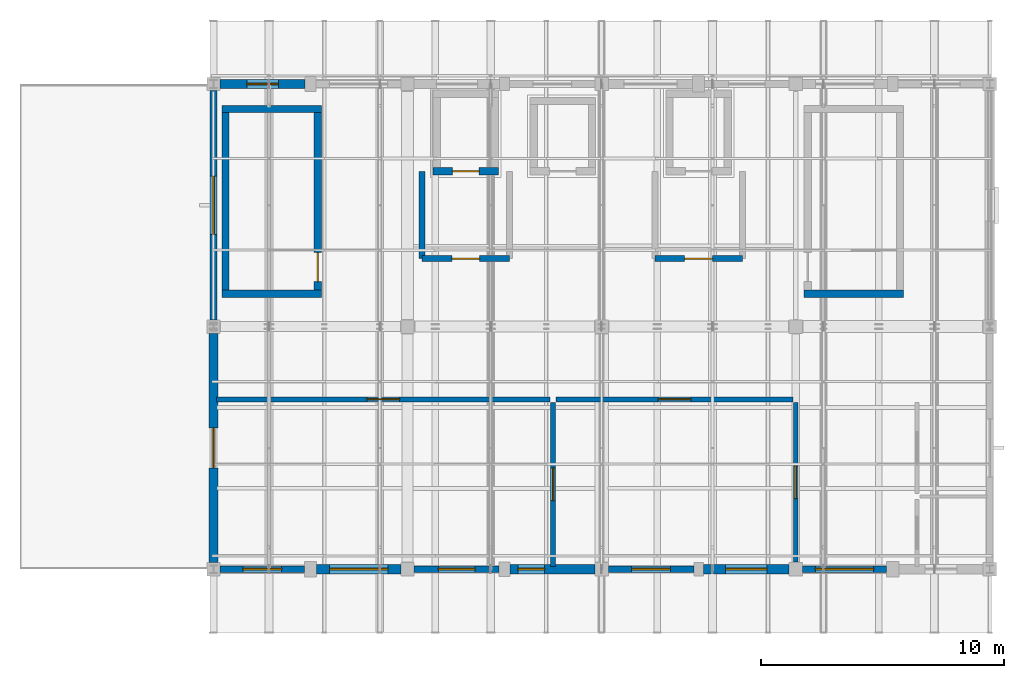
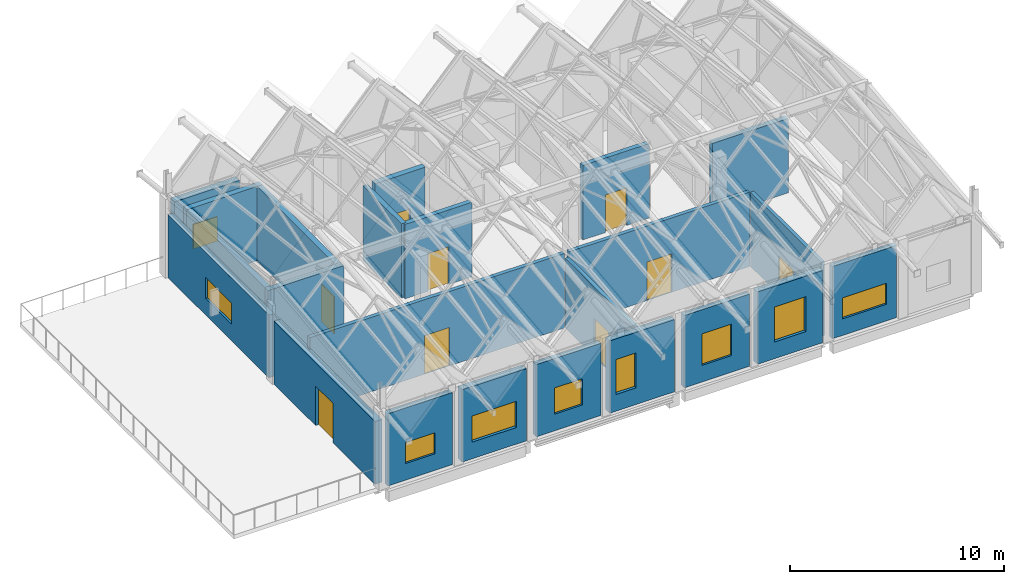
# One storey, part 10 of 15: 23 walls, 9 doors, 9 windows, 18 openings.
"""IFC4 building model written with IfcOpenShell, lengths in metres."""

from ifc_helpers import new_model, si_unit, direction, frame, frame_2d, origin, place, context, subcontext, project, spatial, rectangle, extrude, material, layer, layer_set, type_object, element, fill, save


model = new_model("IFC4")

# Units and contexts
model_context = context("Model", 3, precision=1e-05, world=origin(), true_north=direction((0.0, 1.0)))
body_context = subcontext(model_context, "Body", "Model", "MODEL_VIEW")
ifc_project = project(units=[si_unit("LENGTHUNIT", "METRE"), si_unit("AREAUNIT", "SQUARE_METRE"), si_unit("VOLUMEUNIT", "CUBIC_METRE"), si_unit("PLANEANGLEUNIT", "RADIAN"), si_unit("MASSUNIT", "GRAM", prefix="KILO")], contexts=[model_context])

# Site, building, storey
site_placement = place(None, origin())
site = spatial("IfcSite", under=ifc_project, at=site_placement, CompositionType="ELEMENT")
building_placement = place(site_placement, origin())
building = spatial("IfcBuilding", under=site, at=building_placement, Name="Luwemba Playhouse", CompositionType="ELEMENT")
storey_placement = place(building_placement, frame((0.0, 0.0, 22.800048828125)))
storey = spatial("IfcBuildingStorey", under=building, at=storey_placement, Name="L05", CompositionType="ELEMENT", Elevation=22.800048828125)

# Wall, opening, door
ifc_material_1 = material(Name="Clay facing brick obra vista masonry", Category="masonry")
ifc_layer_1 = layer(ifc_material_1, 0.3798828125)
ifc_layer_set_1 = layer_set([ifc_layer_1], Name="Clay facing brick obra vista masonry")
wall_type_1 = type_object("IfcWallType", Name="WAL-BRK-380", PredefinedType="SOLIDWALL", material=ifc_layer_set_1)
wall_1_placement = place(storey_placement, frame((140.0, 95.27490234375, 0.0), z_axis=(0.0, 0.0, 1.0), x_axis=(0.0, 1.0, 0.0)))
wall_1 = element("IfcWall", 1, at=wall_1_placement, inside=storey, type_object=wall_type_1, Name="L05 V6E exterior facade wall 0500", PredefinedType="SOLIDWALL", context=body_context, shape_type="SweptSolid", body=[
    extrude(rectangle(XDim=9.4501953125, YDim=0.3798828125, at=frame_2d((4.72509765625, 0.0))), origin(), (0.0, 0.0, 1.0), 3.5849609375),
])
opening_1_placement = place(wall_1_placement, frame((3.89990234375, 0.0, 0.0)))
opening_1 = element("IfcOpeningElement", 2, at=opening_1_placement, cuts=wall_1, Name="Opening D-TR1", PredefinedType="OPENING", context=body_context, shape_type="SweptSolid", body=[
    extrude(rectangle(XDim=1.64990234375, YDim=2.25, at=frame_2d((0.824951171875, 1.125))), frame((0.0, 0.199951171875, 0.0), z_axis=(0.0, -1.0, 0.0), x_axis=(1.0, 0.0, 0.0)), (0.0, 0.0, 1.0), 0.39990234375),
])
ifc_material_2 = material(Name="Architectural bronze-anodised aluminium and glazed leaf", Category="aluminium")
door_type_1 = type_object("IfcDoorType", Name="DR-TER-165", OperationType="NOTDEFINED", PredefinedType="DOOR", material=ifc_material_2)
door_1_placement = place(opening_1_placement, origin())
door_1 = element("IfcDoor", 3, at=door_1_placement, inside=storey, type_object=door_type_1, Name="L05 TER-V6E-L05 terrace entrance door", OperationType="DOUBLE_DOOR_SINGLE_SWING", OverallHeight=2.25, OverallWidth=1.64990234375, PredefinedType="DOOR", context=body_context, shape_type="SweptSolid", body=[
    extrude(rectangle(XDim=1.64990234375, YDim=2.25, at=frame_2d((0.824951171875, 1.125))), frame((0.0, 0.02490234375, 0.0), z_axis=(0.0, -1.0, 0.0), x_axis=(1.0, 0.0, 0.0)), (0.0, 0.0, 1.0), 0.050048828125),
])
fill(opening_1, door_1)

# Wall, opening, window
wall_2_placement = place(storey_placement, frame((140.27490234375, 115.0, 0.0), z_axis=(0.0, 0.0, 1.0), x_axis=(1.0, 0.0, 0.0)))
wall_2 = element("IfcWall", 4, at=wall_2_placement, inside=storey, type_object=wall_type_1, Name="L05 V6E exterior facade wall 0502", PredefinedType="SOLIDWALL", context=body_context, shape_type="SweptSolid", body=[
    extrude(rectangle(XDim=3.5, YDim=0.3798828125, at=frame_2d((1.75, 0.0))), origin(), (0.0, 0.0, 1.0), 4.125),
])
opening_2_placement = place(wall_2_placement, frame((1.10009765625, 0.0, 0.949951171875)))
opening_2 = element("IfcOpeningElement", 5, at=opening_2_placement, cuts=wall_2, Name="Opening WN-14", PredefinedType="OPENING", context=body_context, shape_type="SweptSolid", body=[
    extrude(rectangle(XDim=1.300048828125, YDim=1.39990234375, at=frame_2d((0.64990234375, 0.699951171875))), frame((0.0, 0.199951171875, 0.0), z_axis=(0.0, -1.0, 0.0), x_axis=(1.0, 0.0, 0.0)), (0.0, 0.0, 1.0), 0.39990234375),
])
ifc_material_3 = material(Name="Solar-control double glazing in aluminium frame", Category="aluminium")
window_type_1 = type_object("IfcWindowType", Name="WIN-WN-14", PartitioningType="SINGLE_PANEL", PredefinedType="WINDOW", material=ifc_material_3)
window_1_placement = place(opening_2_placement, origin())
window_1 = element("IfcWindow", 6, at=window_1_placement, inside=storey, type_object=window_type_1, Name="L05 V6E scheduled window 0440", OverallHeight=1.39990234375, OverallWidth=1.300048828125, PartitioningType="SINGLE_PANEL", PredefinedType="WINDOW", context=body_context, shape_type="SweptSolid", body=[
    extrude(rectangle(XDim=1.300048828125, YDim=1.39990234375, at=frame_2d((0.64990234375, 0.699951171875))), frame((0.0, 0.030029296875, 0.0), z_axis=(0.0, -1.0, 0.0), x_axis=(1.0, 0.0, 0.0)), (0.0, 0.0, 1.0), 0.06005859375),
])
fill(opening_2, window_1)

wall_3_placement = place(storey_placement, frame((163.72509765625, 95.0, 0.0), z_axis=(0.0, 0.0, 1.0), x_axis=(-1.0, 0.0, 0.0)))
wall_3 = element("IfcWall", 7, at=wall_3_placement, inside=storey, type_object=wall_type_1, Name="L05 V6E exterior facade wall 0514", PredefinedType="SOLIDWALL", context=body_context, shape_type="SweptSolid", body=[
    extrude(rectangle(XDim=3.525146484375, YDim=0.3798828125, at=frame_2d((1.7626953125, 0.0))), origin(), (0.0, 0.0, 1.0), 4.125),
])
opening_3_placement = place(wall_3_placement, frame((0.91259765625, 0.0, 0.949951171875)))
opening_3 = element("IfcOpeningElement", 8, at=opening_3_placement, cuts=wall_3, Name="Opening WN-20", PredefinedType="OPENING", context=body_context, shape_type="SweptSolid", body=[
    extrude(rectangle(XDim=1.699951171875, YDim=2.0, at=frame_2d((0.85009765625, 1.0))), frame((0.0, 0.199951171875, 0.0), z_axis=(0.0, -1.0, 0.0), x_axis=(1.0, 0.0, 0.0)), (0.0, 0.0, 1.0), 0.39990234375),
])
window_type_2 = type_object("IfcWindowType", Name="WIN-WN-20", PartitioningType="DOUBLE_PANEL_VERTICAL", PredefinedType="WINDOW", material=ifc_material_3)
window_2_placement = place(opening_3_placement, origin())
window_2 = element("IfcWindow", 9, at=window_2_placement, inside=storey, type_object=window_type_2, Name="L05 V6E scheduled window 0452", OverallHeight=2.0, OverallWidth=1.699951171875, PartitioningType="DOUBLE_PANEL_VERTICAL", PredefinedType="WINDOW", context=body_context, shape_type="SweptSolid", body=[
    extrude(rectangle(XDim=1.699951171875, YDim=2.0, at=frame_2d((0.85009765625, 1.0))), frame((0.0, 0.030029296875, 0.0), z_axis=(0.0, -1.0, 0.0), x_axis=(1.0, 0.0, 0.0)), (0.0, 0.0, 1.0), 0.06005859375),
])
fill(opening_3, window_2)

wall_4_placement = place(storey_placement, frame((155.72509765625, 95.0, 0.0), z_axis=(0.0, 0.0, 1.0), x_axis=(-1.0, 0.0, 0.0)))
wall_4 = element("IfcWall", 10, at=wall_4_placement, inside=storey, type_object=wall_type_1, Name="L05 V6E exterior facade wall 0516", PredefinedType="SOLIDWALL", context=body_context, shape_type="SweptSolid", body=[
    extrude(rectangle(XDim=3.5, YDim=0.3798828125, at=frame_2d((1.75, 0.0))), origin(), (0.0, 0.0, 1.0), 4.125),
])
opening_4_placement = place(wall_4_placement, frame((2.072509765625, 0.0, 0.949951171875)))
opening_4 = element("IfcOpeningElement", 11, at=opening_4_placement, cuts=wall_4, Name="Opening WN-19", PredefinedType="OPENING", context=body_context, shape_type="SweptSolid", body=[
    extrude(rectangle(XDim=1.10009765625, YDim=2.0, at=frame_2d((0.550048828125, 1.0))), frame((0.0, 0.199951171875, 0.0), z_axis=(0.0, -1.0, 0.0), x_axis=(1.0, 0.0, 0.0)), (0.0, 0.0, 1.0), 0.39990234375),
])
window_type_3 = type_object("IfcWindowType", Name="WIN-WN-19", PartitioningType="SINGLE_PANEL", PredefinedType="WINDOW", material=ifc_material_3)
window_3_placement = place(opening_4_placement, origin())
window_3 = element("IfcWindow", 12, at=window_3_placement, inside=storey, type_object=window_type_3, Name="L05 V6E scheduled window 0454", OverallHeight=2.0, OverallWidth=1.10009765625, PartitioningType="TRIPLE_PANEL_VERTICAL", PredefinedType="WINDOW", context=body_context, shape_type="SweptSolid", body=[
    extrude(rectangle(XDim=1.10009765625, YDim=2.0, at=frame_2d((0.550048828125, 1.0))), frame((0.0, 0.030029296875, 0.0), z_axis=(0.0, -1.0, 0.0), x_axis=(1.0, 0.0, 0.0)), (0.0, 0.0, 1.0), 0.06005859375),
])
fill(opening_4, window_3)

wall_5_placement = place(storey_placement, frame((147.72509765625, 95.0, 0.0), z_axis=(0.0, 0.0, 1.0), x_axis=(-1.0, 0.0, 0.0)))
wall_5 = element("IfcWall", 13, at=wall_5_placement, inside=storey, type_object=wall_type_1, Name="L05 V6E exterior facade wall 0518", PredefinedType="SOLIDWALL", context=body_context, shape_type="SweptSolid", body=[
    extrude(rectangle(XDim=3.47509765625, YDim=0.3798828125, at=frame_2d((1.737548828125, 0.0))), origin(), (0.0, 0.0, 1.0), 4.125),
])
opening_5_placement = place(wall_5_placement, frame((0.53759765625, 0.0, 0.949951171875)))
opening_5 = element("IfcOpeningElement", 14, at=opening_5_placement, cuts=wall_5, Name="Opening WN-12", PredefinedType="OPENING", context=body_context, shape_type="SweptSolid", body=[
    extrude(rectangle(XDim=2.39990234375, YDim=1.5, at=frame_2d((1.199951171875, 0.75))), frame((0.0, 0.199951171875, 0.0), z_axis=(0.0, -1.0, 0.0), x_axis=(1.0, 0.0, 0.0)), (0.0, 0.0, 1.0), 0.39990234375),
])
window_type_4 = type_object("IfcWindowType", Name="WIN-WN-12", PartitioningType="TRIPLE_PANEL_VERTICAL", PredefinedType="WINDOW", material=ifc_material_3)
window_4_placement = place(opening_5_placement, origin())
window_4 = element("IfcWindow", 15, at=window_4_placement, inside=storey, type_object=window_type_4, Name="L05 V6E scheduled window 0456", OverallHeight=1.5, OverallWidth=2.39990234375, PartitioningType="TRIPLE_PANEL_VERTICAL", PredefinedType="WINDOW", context=body_context, shape_type="SweptSolid", body=[
    extrude(rectangle(XDim=2.39990234375, YDim=1.5, at=frame_2d((1.199951171875, 0.75))), frame((0.0, 0.030029296875, 0.0), z_axis=(0.0, -1.0, 0.0), x_axis=(1.0, 0.0, 0.0)), (0.0, 0.0, 1.0), 0.06005859375),
])
fill(opening_5, window_4)

# Walls
ifc_material_4 = material(Name="Concrete C40/50", Category="concrete")
ifc_layer_2 = layer(ifc_material_4, 0.300048828125)
ifc_layer_set_2 = layer_set([ifc_layer_2], Name="Concrete C40/50")
wall_type_2 = type_object("IfcWallType", Name="WAL-CORE-300", PredefinedType="SHEAR", material=ifc_layer_set_2)
for number, where, z_axis, x_axis, name in (
    (16, (140.35009765625, 106.35009765625, 0.0), (0.0, 0.0, 1.0), (1.0, 0.0, 0.0), "L05 ST-09 stair core wall S"),
    (17, (144.449951171875, 113.969970703125, 0.0), (0.0, 0.0, 1.0), (-1.0, 0.0, 0.0), "L05 ST-09 stair core wall N"),
):
    element("IfcWall", number, at=place(storey_placement, frame(where, z_axis=z_axis, x_axis=x_axis)), inside=storey, type_object=wall_type_2, Name=name, PredefinedType="SHEAR", context=body_context, shape_type="SweptSolid", body=[
        extrude(rectangle(XDim=4.099853515625, YDim=0.300048828125, at=frame_2d((2.0498046875, 0.0))), origin(), (0.0, 0.0, 1.0), 4.25),
    ])
wall_6_placement = place(storey_placement, frame((140.5, 106.5, 0.0), z_axis=(0.0, 0.0, 1.0), x_axis=(0.0, 1.0, 0.0)))
element("IfcWall", 18, at=wall_6_placement, inside=storey, type_object=wall_type_2, Name="L05 ST-09 stair core wall W", PredefinedType="SHEAR", context=body_context, shape_type="SweptSolid", body=[
    extrude(rectangle(XDim=7.320068359375, YDim=0.300048828125, at=frame_2d((3.66015625, 0.0))), origin(), (0.0, 0.0, 1.0), 4.25),
])

# Wall, opening, door
wall_7_placement = place(storey_placement, frame((144.300048828125, 106.5, 0.0), z_axis=(0.0, 0.0, 1.0), x_axis=(0.0, 1.0, 0.0)))
wall_7 = element("IfcWall", 19, at=wall_7_placement, inside=storey, type_object=wall_type_2, Name="L05 ST-09 stair core wall E", PredefinedType="SHEAR", context=body_context, shape_type="SweptSolid", body=[
    extrude(rectangle(XDim=7.320068359375, YDim=0.300048828125, at=frame_2d((3.66015625, 0.0))), origin(), (0.0, 0.0, 1.0), 4.25),
])
opening_6_placement = place(wall_7_placement, frame((0.35009765625, 0.0, 0.0)))
opening_6 = element("IfcOpeningElement", 20, at=opening_6_placement, cuts=wall_7, Name="Opening D-STAIR3", PredefinedType="OPENING", context=body_context, shape_type="SweptSolid", body=[
    extrude(rectangle(XDim=1.199951171875, YDim=2.14990234375, at=frame_2d((0.60009765625, 1.074951171875))), frame((0.0, 0.159912109375, 0.0), z_axis=(0.0, -1.0, 0.0), x_axis=(1.0, 0.0, 0.0)), (0.0, 0.0, 1.0), 0.320068359375),
])
ifc_material_5 = material(Name="Hardwood acoustic fire door leaf", Category="wood")
door_type_2 = type_object("IfcDoorType", Name="DR-STAIR-120", OperationType="NOTDEFINED", PredefinedType="DOOR", material=ifc_material_5)
door_2_placement = place(opening_6_placement, origin())
door_2 = element("IfcDoor", 21, at=door_2_placement, inside=storey, type_object=door_type_2, Name="L05 ST-09 protected stair entry door", OperationType="SINGLE_SWING_RIGHT", OverallHeight=2.14990234375, OverallWidth=1.199951171875, PredefinedType="DOOR", context=body_context, shape_type="SweptSolid", body=[
    extrude(rectangle(XDim=1.199951171875, YDim=2.14990234375, at=frame_2d((0.60009765625, 1.074951171875))), frame((0.0, 0.02490234375, 0.0), z_axis=(0.0, -1.0, 0.0), x_axis=(1.0, 0.0, 0.0)), (0.0, 0.0, 1.0), 0.050048828125),
])
fill(opening_6, door_2)

# Wall
wall_8_placement = place(storey_placement, frame((164.35009765625, 106.35009765625, 0.0), z_axis=(0.0, 0.0, 1.0), x_axis=(1.0, 0.0, 0.0)))
element("IfcWall", 22, at=wall_8_placement, inside=storey, type_object=wall_type_2, Name="L05 ST-10 stair core wall S", PredefinedType="SHEAR", context=body_context, shape_type="SweptSolid", body=[
    extrude(rectangle(XDim=4.099853515625, YDim=0.300048828125, at=frame_2d((2.0498046875, 0.0))), origin(), (0.0, 0.0, 1.0), 4.25),
])

# Wall, opening, door
wall_9_placement = place(storey_placement, frame((149.050048828125, 111.39990234375, 0.0), z_axis=(0.0, 0.0, 1.0), x_axis=(1.0, 0.0, 0.0)))
wall_9 = element("IfcWall", 23, at=wall_9_placement, inside=storey, type_object=wall_type_2, Name="L05 Lift LF-FF1 shaft wall S", PredefinedType="SHEAR", context=body_context, shape_type="SweptSolid", body=[
    extrude(rectangle(XDim=2.699951171875, YDim=0.300048828125, at=frame_2d((1.35009765625, 0.0))), origin(), (0.0, 0.0, 1.0), 4.25),
])
opening_7_placement = place(wall_9_placement, frame((0.800048828125, 0.0, 0.0)))
opening_7 = element("IfcOpeningElement", 24, at=opening_7_placement, cuts=wall_9, Name="Opening LD-01", PredefinedType="OPENING", context=body_context, shape_type="SweptSolid", body=[
    extrude(rectangle(XDim=1.10009765625, YDim=2.14990234375, at=frame_2d((0.550048828125, 1.074951171875))), frame((0.0, 0.159912109375, 0.0), z_axis=(0.0, -1.0, 0.0), x_axis=(1.0, 0.0, 0.0)), (0.0, 0.0, 1.0), 0.320068359375),
])
ifc_material_6 = material(Name="Stainless steel lift landing doors", Category="steel")
door_type_3 = type_object("IfcDoorType", Name="DR-LIFT-110", OperationType="NOTDEFINED", PredefinedType="DOOR", material=ifc_material_6)
door_3_placement = place(opening_7_placement, origin())
door_3 = element("IfcDoor", 25, at=door_3_placement, inside=storey, type_object=door_type_3, Name="L05 Lift LF-FF1 landing door", OperationType="DOUBLE_DOOR_SLIDING", OverallHeight=2.14990234375, OverallWidth=1.10009765625, PredefinedType="DOOR", context=body_context, shape_type="SweptSolid", body=[
    extrude(rectangle(XDim=1.10009765625, YDim=2.14990234375, at=frame_2d((0.550048828125, 1.074951171875))), frame((0.0, 0.02490234375, 0.0), z_axis=(0.0, -1.0, 0.0), x_axis=(1.0, 0.0, 0.0)), (0.0, 0.0, 1.0), 0.050048828125),
])
fill(opening_7, door_3)

ifc_layer_3 = layer(ifc_material_4, 0.25)
ifc_layer_set_3 = layer_set([ifc_layer_3], Name="Concrete C40/50")
wall_type_3 = type_object("IfcWallType", Name="WAL-FFL-250", PredefinedType="SOLIDWALL", material=ifc_layer_set_3)
wall_10_placement = place(storey_placement, frame((152.199951171875, 107.800048828125, 0.0), z_axis=(0.0, 0.0, 1.0), x_axis=(-1.0, 0.0, 0.0)))
wall_10 = element("IfcWall", 26, at=wall_10_placement, inside=storey, type_object=wall_type_3, Name="L05 LF-FF1 firefighting lift lobby wall S", PredefinedType="SOLIDWALL", context=body_context, shape_type="SweptSolid", body=[
    extrude(rectangle(XDim=3.599853515625, YDim=0.25, at=frame_2d((1.7998046875, 0.0))), origin(), (0.0, 0.0, 1.0), 4.25),
])
opening_8_placement = place(wall_10_placement, frame((1.22509765625, 0.0, 0.0)))
opening_8 = element("IfcOpeningElement", 27, at=opening_8_placement, cuts=wall_10, Name="Opening D-FD60", PredefinedType="OPENING", context=body_context, shape_type="SweptSolid", body=[
    extrude(rectangle(XDim=1.14990234375, YDim=2.14990234375, at=frame_2d((0.574951171875, 1.074951171875))), frame((0.0, 0.135009765625, 0.0), z_axis=(0.0, -1.0, 0.0), x_axis=(1.0, 0.0, 0.0)), (0.0, 0.0, 1.0), 0.27001953125),
])
ifc_material_7 = material(Name="Hardwood smoke-sealed fire door leaf", Category="wood")
door_type_4 = type_object("IfcDoorType", Name="DR-FFL-115", OperationType="NOTDEFINED", PredefinedType="DOOR", material=ifc_material_7)
door_4_placement = place(opening_8_placement, origin())
door_4 = element("IfcDoor", 28, at=door_4_placement, inside=storey, type_object=door_type_4, Name="L05 LF-FF1 firefighting lobby smoke door", OperationType="SINGLE_SWING_LEFT", OverallHeight=2.14990234375, OverallWidth=1.14990234375, PredefinedType="DOOR", context=body_context, shape_type="SweptSolid", body=[
    extrude(rectangle(XDim=1.14990234375, YDim=2.14990234375, at=frame_2d((0.574951171875, 1.074951171875))), frame((0.0, 0.02490234375, 0.0), z_axis=(0.0, -1.0, 0.0), x_axis=(1.0, 0.0, 0.0)), (0.0, 0.0, 1.0), 0.050048828125),
])
fill(opening_8, door_4)

# Wall
wall_11_placement = place(storey_placement, frame((148.60009765625, 107.800048828125, 0.0), z_axis=(0.0, 0.0, 1.0), x_axis=(0.0, 1.0, 0.0)))
element("IfcWall", 29, at=wall_11_placement, inside=storey, type_object=wall_type_3, Name="L05 LF-FF1 firefighting lift lobby wall W", PredefinedType="SOLIDWALL", context=body_context, shape_type="SweptSolid", body=[
    extrude(rectangle(XDim=3.599853515625, YDim=0.25, at=frame_2d((1.7998046875, 0.0))), origin(), (0.0, 0.0, 1.0), 4.25),
])

# Wall, opening, door
wall_12_placement = place(storey_placement, frame((161.800048828125, 107.800048828125, 0.0), z_axis=(0.0, 0.0, 1.0), x_axis=(-1.0, 0.0, 0.0)))
wall_12 = element("IfcWall", 30, at=wall_12_placement, inside=storey, type_object=wall_type_3, Name="L05 LF-FF2 firefighting lift lobby wall S", PredefinedType="SOLIDWALL", context=body_context, shape_type="SweptSolid", body=[
    extrude(rectangle(XDim=3.60009765625, YDim=0.25, at=frame_2d((1.800048828125, 0.0))), origin(), (0.0, 0.0, 1.0), 4.25),
])
opening_9_placement = place(wall_12_placement, frame((1.22509765625, 0.0, 0.0)))
opening_9 = element("IfcOpeningElement", 31, at=opening_9_placement, cuts=wall_12, Name="Opening D-FD60", PredefinedType="OPENING", context=body_context, shape_type="SweptSolid", body=[
    extrude(rectangle(XDim=1.14990234375, YDim=2.14990234375, at=frame_2d((0.574951171875, 1.074951171875))), frame((0.0, 0.135009765625, 0.0), z_axis=(0.0, -1.0, 0.0), x_axis=(1.0, 0.0, 0.0)), (0.0, 0.0, 1.0), 0.27001953125),
])
door_5_placement = place(opening_9_placement, origin())
door_5 = element("IfcDoor", 32, at=door_5_placement, inside=storey, type_object=door_type_4, Name="L05 LF-FF2 firefighting lobby smoke door", OperationType="SINGLE_SWING_RIGHT", OverallHeight=2.14990234375, OverallWidth=1.14990234375, PredefinedType="DOOR", context=body_context, shape_type="SweptSolid", body=[
    extrude(rectangle(XDim=1.14990234375, YDim=2.14990234375, at=frame_2d((0.574951171875, 1.074951171875))), frame((0.0, 0.02490234375, 0.0), z_axis=(0.0, -1.0, 0.0), x_axis=(1.0, 0.0, 0.0)), (0.0, 0.0, 1.0), 0.050048828125),
])
fill(opening_9, door_5)

ifc_material_8 = material(Name="Double-stud acoustic gypsum partition", Category="gypsum")
ifc_layer_4 = layer(ifc_material_8, 0.179931640625)
ifc_layer_set_4 = layer_set([ifc_layer_4], Name="Double-stud acoustic gypsum partition")
wall_type_4 = type_object("IfcWallType", Name="WAL-INT-180", PredefinedType="PARTITIONING", material=ifc_layer_set_4)
wall_13_placement = place(storey_placement, frame((164.0, 95.294921875, 0.0), z_axis=(0.0, 0.0, 1.0), x_axis=(0.0, 1.0, 0.0)))
wall_13 = element("IfcWall", 33, at=wall_13_placement, inside=storey, type_object=wall_type_4, Name="L05 V6E interior partition 0227", PredefinedType="PARTITIONING", context=body_context, shape_type="SweptSolid", body=[
    extrude(rectangle(XDim=6.5849609375, YDim=0.179931640625, at=frame_2d((3.29248046875, 0.0))), origin(), (0.0, 0.0, 1.0), 4.25),
])
opening_10_placement = place(wall_13_placement, frame((2.617431640625, 0.0, 0.0)))
opening_10 = element("IfcOpeningElement", 34, at=opening_10_placement, cuts=wall_13, Name="Opening D-STU1", PredefinedType="OPENING", context=body_context, shape_type="SweptSolid", body=[
    extrude(rectangle(XDim=1.35009765625, YDim=2.199951171875, at=frame_2d((0.675048828125, 1.10009765625))), frame((0.0, 0.099853515625, 0.0), z_axis=(0.0, -1.0, 0.0), x_axis=(1.0, 0.0, 0.0)), (0.0, 0.0, 1.0), 0.199951171875),
])
ifc_material_9 = material(Name="Acoustic studio door", Category="wood")
door_type_5 = type_object("IfcDoorType", Name="DR-STU-135", OperationType="NOTDEFINED", PredefinedType="DOOR", material=ifc_material_9)
door_6_placement = place(opening_10_placement, origin())
door_6 = element("IfcDoor", 35, at=door_6_placement, inside=storey, type_object=door_type_5, Name="L05 Historic Costume and Textile Conservation Lab to Acoustic Instrument Calibration Studio door", OperationType="SINGLE_SWING_LEFT", OverallHeight=2.199951171875, OverallWidth=1.35009765625, PredefinedType="DOOR", context=body_context, shape_type="SweptSolid", body=[
    extrude(rectangle(XDim=1.35009765625, YDim=2.199951171875, at=frame_2d((0.675048828125, 1.10009765625))), frame((0.0, 0.02490234375, 0.0), z_axis=(0.0, -1.0, 0.0), x_axis=(1.0, 0.0, 0.0)), (0.0, 0.0, 1.0), 0.050048828125),
])
fill(opening_10, door_6)

ifc_material_10 = material(Name="Clay acoustic masonry blockwork", Category="masonry")
ifc_layer_5 = layer(ifc_material_10, 0.199951171875)
ifc_layer_set_5 = layer_set([ifc_layer_5], Name="Clay acoustic masonry blockwork")
wall_type_5 = type_object("IfcWallType", Name="WAL-INT-200", PredefinedType="PARTITIONING", material=ifc_layer_set_5)
wall_14_placement = place(storey_placement, frame((154.0, 95.1201171875, 0.0), z_axis=(0.0, 0.0, 1.0), x_axis=(0.0, 1.0, 0.0)))
wall_14 = element("IfcWall", 36, at=wall_14_placement, inside=storey, type_object=wall_type_5, Name="L05 V6E interior partition 0225", PredefinedType="PARTITIONING", context=body_context, shape_type="SweptSolid", body=[
    extrude(rectangle(XDim=6.759765625, YDim=0.199951171875, at=frame_2d((3.3798828125, 0.0))), origin(), (0.0, 0.0, 1.0), 3.9970703125),
])
opening_11_placement = place(wall_14_placement, frame((2.705078125, 0.0, 0.0)))
opening_11 = element("IfcOpeningElement", 37, at=opening_11_placement, cuts=wall_14, Name="Opening D-STU1", PredefinedType="OPENING", context=body_context, shape_type="SweptSolid", body=[
    extrude(rectangle(XDim=1.35009765625, YDim=2.199951171875, at=frame_2d((0.675048828125, 1.10009765625))), frame((0.0, 0.10986328125, 0.0), z_axis=(0.0, -1.0, 0.0), x_axis=(1.0, 0.0, 0.0)), (0.0, 0.0, 1.0), 0.219970703125),
])
door_7_placement = place(opening_11_placement, origin())
door_7 = element("IfcDoor", 38, at=door_7_placement, inside=storey, type_object=door_type_5, Name="L05 East African Performing Arts Archive to Historic Costume and Textile Conservation Lab door", OperationType="SINGLE_SWING_LEFT", OverallHeight=2.199951171875, OverallWidth=1.35009765625, PredefinedType="DOOR", context=body_context, shape_type="SweptSolid", body=[
    extrude(rectangle(XDim=1.35009765625, YDim=2.199951171875, at=frame_2d((0.675048828125, 1.10009765625))), frame((0.0, 0.02490234375, 0.0), z_axis=(0.0, -1.0, 0.0), x_axis=(1.0, 0.0, 0.0)), (0.0, 0.0, 1.0), 0.050048828125),
])
fill(opening_11, door_7)

wall_15_placement = place(storey_placement, frame((140.1201171875, 102.0, 0.0), z_axis=(0.0, 0.0, 1.0), x_axis=(1.0, 0.0, 0.0)))
wall_15 = element("IfcWall", 39, at=wall_15_placement, inside=storey, type_object=wall_type_5, Name="L05 V6E interior partition 0226", PredefinedType="PARTITIONING", context=body_context, shape_type="SweptSolid", body=[
    extrude(rectangle(XDim=13.759765625, YDim=0.199951171875, at=frame_2d((6.8798828125, 0.0))), origin(), (0.0, 0.0, 1.0), 4.25),
])
opening_12_placement = place(wall_15_placement, frame((6.205078125, 0.0, 0.0)))
opening_12 = element("IfcOpeningElement", 40, at=opening_12_placement, cuts=wall_15, Name="Opening D-STU1", PredefinedType="OPENING", context=body_context, shape_type="SweptSolid", body=[
    extrude(rectangle(XDim=1.35009765625, YDim=2.199951171875, at=frame_2d((0.675048828125, 1.10009765625))), frame((0.0, 0.10986328125, 0.0), z_axis=(0.0, -1.0, 0.0), x_axis=(1.0, 0.0, 0.0)), (0.0, 0.0, 1.0), 0.219970703125),
])
door_8_placement = place(opening_12_placement, origin())
door_8 = element("IfcDoor", 41, at=door_8_placement, inside=storey, type_object=door_type_5, Name="L05 East African Performing Arts Archive to Archive Level 5 Corridor door", OperationType="SINGLE_SWING_RIGHT", OverallHeight=2.199951171875, OverallWidth=1.35009765625, PredefinedType="DOOR", context=body_context, shape_type="SweptSolid", body=[
    extrude(rectangle(XDim=1.35009765625, YDim=2.199951171875, at=frame_2d((0.675048828125, 1.10009765625))), frame((0.0, 0.02490234375, 0.0), z_axis=(0.0, -1.0, 0.0), x_axis=(1.0, 0.0, 0.0)), (0.0, 0.0, 1.0), 0.050048828125),
])
fill(opening_12, door_8)

wall_16_placement = place(storey_placement, frame((154.1201171875, 102.0, 0.0), z_axis=(0.0, 0.0, 1.0), x_axis=(1.0, 0.0, 0.0)))
wall_16 = element("IfcWall", 42, at=wall_16_placement, inside=storey, type_object=wall_type_5, Name="L05 V6E interior partition 0228", PredefinedType="PARTITIONING", context=body_context, shape_type="SweptSolid", body=[
    extrude(rectangle(XDim=9.759765625, YDim=0.199951171875, at=frame_2d((4.8798828125, 0.0))), origin(), (0.0, 0.0, 1.0), 4.25),
])
opening_13_placement = place(wall_16_placement, frame((4.205078125, 0.0, 0.0)))
opening_13 = element("IfcOpeningElement", 43, at=opening_13_placement, cuts=wall_16, Name="Opening D-STU1", PredefinedType="OPENING", context=body_context, shape_type="SweptSolid", body=[
    extrude(rectangle(XDim=1.35009765625, YDim=2.199951171875, at=frame_2d((0.675048828125, 1.10009765625))), frame((0.0, 0.10986328125, 0.0), z_axis=(0.0, -1.0, 0.0), x_axis=(1.0, 0.0, 0.0)), (0.0, 0.0, 1.0), 0.219970703125),
])
door_9_placement = place(opening_13_placement, origin())
door_9 = element("IfcDoor", 44, at=door_9_placement, inside=storey, type_object=door_type_5, Name="L05 Historic Costume and Textile Conservation Lab to Archive Level 5 Corridor door", OperationType="SINGLE_SWING_RIGHT", OverallHeight=2.199951171875, OverallWidth=1.35009765625, PredefinedType="DOOR", context=body_context, shape_type="SweptSolid", body=[
    extrude(rectangle(XDim=1.35009765625, YDim=2.199951171875, at=frame_2d((0.675048828125, 1.10009765625))), frame((0.0, 0.02490234375, 0.0), z_axis=(0.0, -1.0, 0.0), x_axis=(1.0, 0.0, 0.0)), (0.0, 0.0, 1.0), 0.050048828125),
])
fill(opening_13, door_9)

# Wall, opening, window
ifc_material_11 = material(Name="Structural timber GL24h infill", Category="wood")
ifc_layer_6 = layer(ifc_material_11, 0.280029296875)
ifc_layer_set_6 = layer_set([ifc_layer_6], Name="Structural timber GL24h infill")
wall_type_6 = type_object("IfcWallType", Name="WAL-TIM-280", PredefinedType="SOLIDWALL", material=ifc_layer_set_6)
wall_17_placement = place(storey_placement, frame((140.0, 105.27490234375, 0.0), z_axis=(0.0, 0.0, 1.0), x_axis=(0.0, 1.0, 0.0)))
wall_17 = element("IfcWall", 45, at=wall_17_placement, inside=storey, type_object=wall_type_6, Name="L05 V6E exterior facade wall 0501", PredefinedType="SOLIDWALL", context=body_context, shape_type="SweptSolid", body=[
    extrude(rectangle(XDim=9.4501953125, YDim=0.280029296875, at=frame_2d((4.72509765625, 0.0))), origin(), (0.0, 0.0, 1.0), 3.5849609375),
])
opening_14_placement = place(wall_17_placement, frame((3.52490234375, 0.0, 0.949951171875)))
opening_14 = element("IfcOpeningElement", 46, at=opening_14_placement, cuts=wall_17, Name="Opening WN-17", PredefinedType="OPENING", context=body_context, shape_type="SweptSolid", body=[
    extrude(rectangle(XDim=2.39990234375, YDim=1.199951171875, at=frame_2d((1.199951171875, 0.60009765625))), frame((0.0, 0.14990234375, 0.0), z_axis=(0.0, -1.0, 0.0), x_axis=(1.0, 0.0, 0.0)), (0.0, 0.0, 1.0), 0.300048828125),
])
window_type_5 = type_object("IfcWindowType", Name="WIN-WN-17", PartitioningType="TRIPLE_PANEL_HORIZONTAL", PredefinedType="WINDOW", material=ifc_material_3)
window_5_placement = place(opening_14_placement, origin())
window_5 = element("IfcWindow", 47, at=window_5_placement, inside=storey, type_object=window_type_5, Name="L05 V6E scheduled window 0439", OverallHeight=1.199951171875, OverallWidth=2.39990234375, PartitioningType="TRIPLE_PANEL_HORIZONTAL", PredefinedType="WINDOW", context=body_context, shape_type="SweptSolid", body=[
    extrude(rectangle(XDim=2.39990234375, YDim=1.199951171875, at=frame_2d((1.199951171875, 0.60009765625))), frame((0.0, 0.030029296875, 0.0), z_axis=(0.0, -1.0, 0.0), x_axis=(1.0, 0.0, 0.0)), (0.0, 0.0, 1.0), 0.06005859375),
])
fill(opening_14, window_5)

wall_18_placement = place(storey_placement, frame((167.75, 95.0, 0.0), z_axis=(0.0, 0.0, 1.0), x_axis=(-1.0, 0.0, 0.0)))
wall_18 = element("IfcWall", 48, at=wall_18_placement, inside=storey, type_object=wall_type_6, Name="L05 V6E exterior facade wall 0513", PredefinedType="SOLIDWALL", context=body_context, shape_type="SweptSolid", body=[
    extrude(rectangle(XDim=3.47509765625, YDim=0.280029296875, at=frame_2d((1.737548828125, 0.0))), origin(), (0.0, 0.0, 1.0), 4.125),
])
opening_15_placement = place(wall_18_placement, frame((0.53759765625, 0.0, 0.949951171875)))
opening_15 = element("IfcOpeningElement", 49, at=opening_15_placement, cuts=wall_18, Name="Opening WN-17", PredefinedType="OPENING", context=body_context, shape_type="SweptSolid", body=[
    extrude(rectangle(XDim=2.39990234375, YDim=1.199951171875, at=frame_2d((1.199951171875, 0.60009765625))), frame((0.0, 0.14990234375, 0.0), z_axis=(0.0, -1.0, 0.0), x_axis=(1.0, 0.0, 0.0)), (0.0, 0.0, 1.0), 0.300048828125),
])
window_6_placement = place(opening_15_placement, origin())
window_6 = element("IfcWindow", 50, at=window_6_placement, inside=storey, type_object=window_type_5, Name="L05 V6E scheduled window 0451", OverallHeight=1.199951171875, OverallWidth=2.39990234375, PartitioningType="TRIPLE_PANEL_HORIZONTAL", PredefinedType="WINDOW", context=body_context, shape_type="SweptSolid", body=[
    extrude(rectangle(XDim=2.39990234375, YDim=1.199951171875, at=frame_2d((1.199951171875, 0.60009765625))), frame((0.0, 0.030029296875, 0.0), z_axis=(0.0, -1.0, 0.0), x_axis=(1.0, 0.0, 0.0)), (0.0, 0.0, 1.0), 0.06005859375),
])
fill(opening_15, window_6)

wall_19_placement = place(storey_placement, frame((159.800048828125, 95.0, 0.0), z_axis=(0.0, 0.0, 1.0), x_axis=(-1.0, 0.0, 0.0)))
wall_19 = element("IfcWall", 51, at=wall_19_placement, inside=storey, type_object=wall_type_6, Name="L05 V6E exterior facade wall 0515", PredefinedType="SOLIDWALL", context=body_context, shape_type="SweptSolid", body=[
    extrude(rectangle(XDim=3.525146484375, YDim=0.280029296875, at=frame_2d((1.7626953125, 0.0))), origin(), (0.0, 0.0, 1.0), 4.125),
])
opening_16_placement = place(wall_19_placement, frame((0.96240234375, 0.0, 0.949951171875)))
opening_16 = element("IfcOpeningElement", 52, at=opening_16_placement, cuts=wall_19, Name="Opening WN-03", PredefinedType="OPENING", context=body_context, shape_type="SweptSolid", body=[
    extrude(rectangle(XDim=1.60009765625, YDim=1.800048828125, at=frame_2d((0.800048828125, 0.89990234375))), frame((0.0, 0.14990234375, 0.0), z_axis=(0.0, -1.0, 0.0), x_axis=(1.0, 0.0, 0.0)), (0.0, 0.0, 1.0), 0.300048828125),
])
window_type_6 = type_object("IfcWindowType", Name="WIN-WN-03", PartitioningType="DOUBLE_PANEL_VERTICAL", PredefinedType="WINDOW", material=ifc_material_3)
window_7_placement = place(opening_16_placement, origin())
window_7 = element("IfcWindow", 53, at=window_7_placement, inside=storey, type_object=window_type_6, Name="L05 V6E scheduled window 0453", OverallHeight=1.800048828125, OverallWidth=1.60009765625, PartitioningType="DOUBLE_PANEL_VERTICAL", PredefinedType="WINDOW", context=body_context, shape_type="SweptSolid", body=[
    extrude(rectangle(XDim=1.60009765625, YDim=1.800048828125, at=frame_2d((0.800048828125, 0.89990234375))), frame((0.0, 0.030029296875, 0.0), z_axis=(0.0, -1.0, 0.0), x_axis=(1.0, 0.0, 0.0)), (0.0, 0.0, 1.0), 0.06005859375),
])
fill(opening_16, window_7)

wall_20_placement = place(storey_placement, frame((151.77490234375, 95.0, 0.0), z_axis=(0.0, 0.0, 1.0), x_axis=(-1.0, 0.0, 0.0)))
wall_20 = element("IfcWall", 54, at=wall_20_placement, inside=storey, type_object=wall_type_6, Name="L05 V6E exterior facade wall 0517", PredefinedType="SOLIDWALL", context=body_context, shape_type="SweptSolid", body=[
    extrude(rectangle(XDim=3.5, YDim=0.280029296875, at=frame_2d((1.75, 0.0))), origin(), (0.0, 0.0, 1.0), 4.125),
])
opening_17_placement = place(wall_20_placement, frame((1.0, 0.0, 0.949951171875)))
opening_17 = element("IfcOpeningElement", 55, at=opening_17_placement, cuts=wall_20, Name="Opening WN-09", PredefinedType="OPENING", context=body_context, shape_type="SweptSolid", body=[
    extrude(rectangle(XDim=1.5, YDim=1.5, at=frame_2d((0.75, 0.75))), frame((0.0, 0.14990234375, 0.0), z_axis=(0.0, -1.0, 0.0), x_axis=(1.0, 0.0, 0.0)), (0.0, 0.0, 1.0), 0.300048828125),
])
window_type_7 = type_object("IfcWindowType", Name="WIN-WN-09", PartitioningType="DOUBLE_PANEL_VERTICAL", PredefinedType="WINDOW", material=ifc_material_3)
window_8_placement = place(opening_17_placement, origin())
window_8 = element("IfcWindow", 56, at=window_8_placement, inside=storey, type_object=window_type_7, Name="L05 V6E scheduled window 0455", OverallHeight=1.5, OverallWidth=1.5, PartitioningType="DOUBLE_PANEL_VERTICAL", PredefinedType="WINDOW", context=body_context, shape_type="SweptSolid", body=[
    extrude(rectangle(XDim=1.5, YDim=1.5, at=frame_2d((0.75, 0.75))), frame((0.0, 0.030029296875, 0.0), z_axis=(0.0, -1.0, 0.0), x_axis=(1.0, 0.0, 0.0)), (0.0, 0.0, 1.0), 0.06005859375),
])
fill(opening_17, window_8)

wall_21_placement = place(storey_placement, frame((143.75, 95.0, 0.0), z_axis=(0.0, 0.0, 1.0), x_axis=(-1.0, 0.0, 0.0)))
wall_21 = element("IfcWall", 57, at=wall_21_placement, inside=storey, type_object=wall_type_6, Name="L05 V6E exterior facade wall 0519", PredefinedType="SOLIDWALL", context=body_context, shape_type="SweptSolid", body=[
    extrude(rectangle(XDim=3.47509765625, YDim=0.280029296875, at=frame_2d((1.737548828125, 0.0))), origin(), (0.0, 0.0, 1.0), 4.125),
])
opening_18_placement = place(wall_21_placement, frame((0.9375, 0.0, 0.949951171875)))
opening_18 = element("IfcOpeningElement", 58, at=opening_18_placement, cuts=wall_21, Name="Opening WN-15", PredefinedType="OPENING", context=body_context, shape_type="SweptSolid", body=[
    extrude(rectangle(XDim=1.60009765625, YDim=1.199951171875, at=frame_2d((0.800048828125, 0.60009765625))), frame((0.0, 0.14990234375, 0.0), z_axis=(0.0, -1.0, 0.0), x_axis=(1.0, 0.0, 0.0)), (0.0, 0.0, 1.0), 0.300048828125),
])
window_type_8 = type_object("IfcWindowType", Name="WIN-WN-15", PartitioningType="DOUBLE_PANEL_HORIZONTAL", PredefinedType="WINDOW", material=ifc_material_3)
window_9_placement = place(opening_18_placement, origin())
window_9 = element("IfcWindow", 59, at=window_9_placement, inside=storey, type_object=window_type_8, Name="L05 V6E scheduled window 0457", OverallHeight=1.199951171875, OverallWidth=1.60009765625, PartitioningType="DOUBLE_PANEL_HORIZONTAL", PredefinedType="WINDOW", context=body_context, shape_type="SweptSolid", body=[
    extrude(rectangle(XDim=1.60009765625, YDim=1.199951171875, at=frame_2d((0.800048828125, 0.60009765625))), frame((0.0, 0.030029296875, 0.0), z_axis=(0.0, -1.0, 0.0), x_axis=(1.0, 0.0, 0.0)), (0.0, 0.0, 1.0), 0.06005859375),
])
fill(opening_18, window_9)

save(model, "model.ifc")
